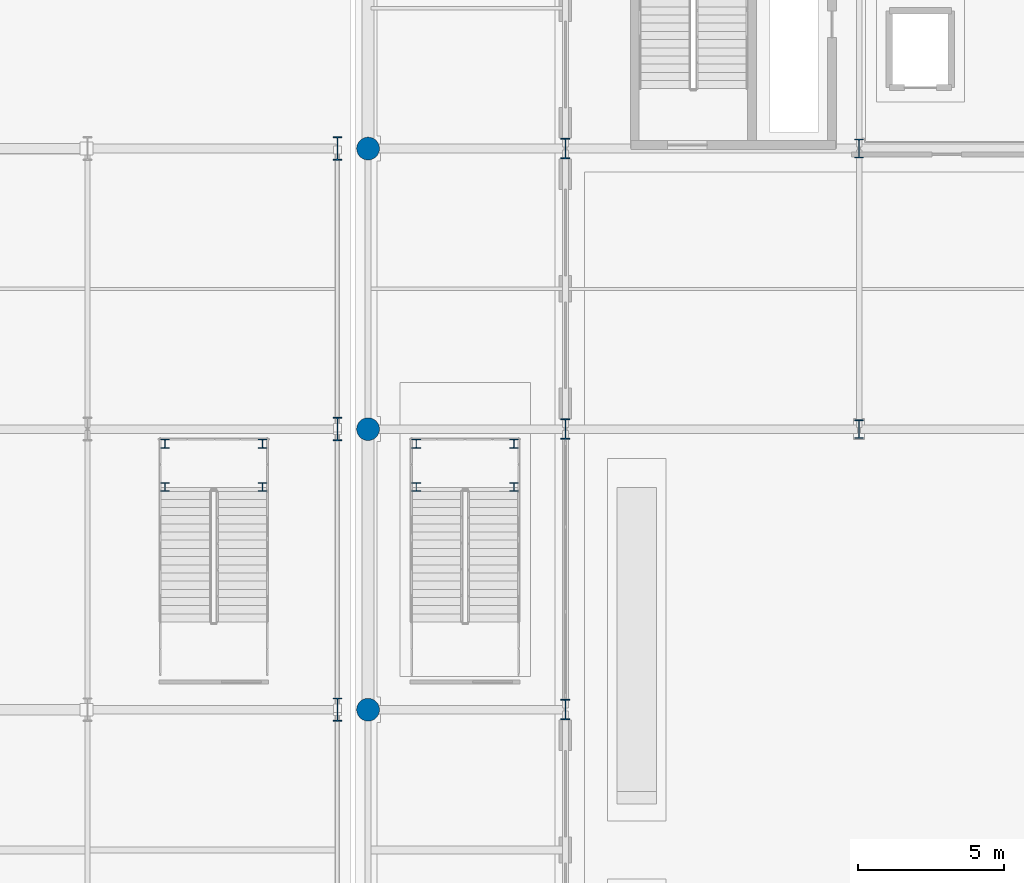
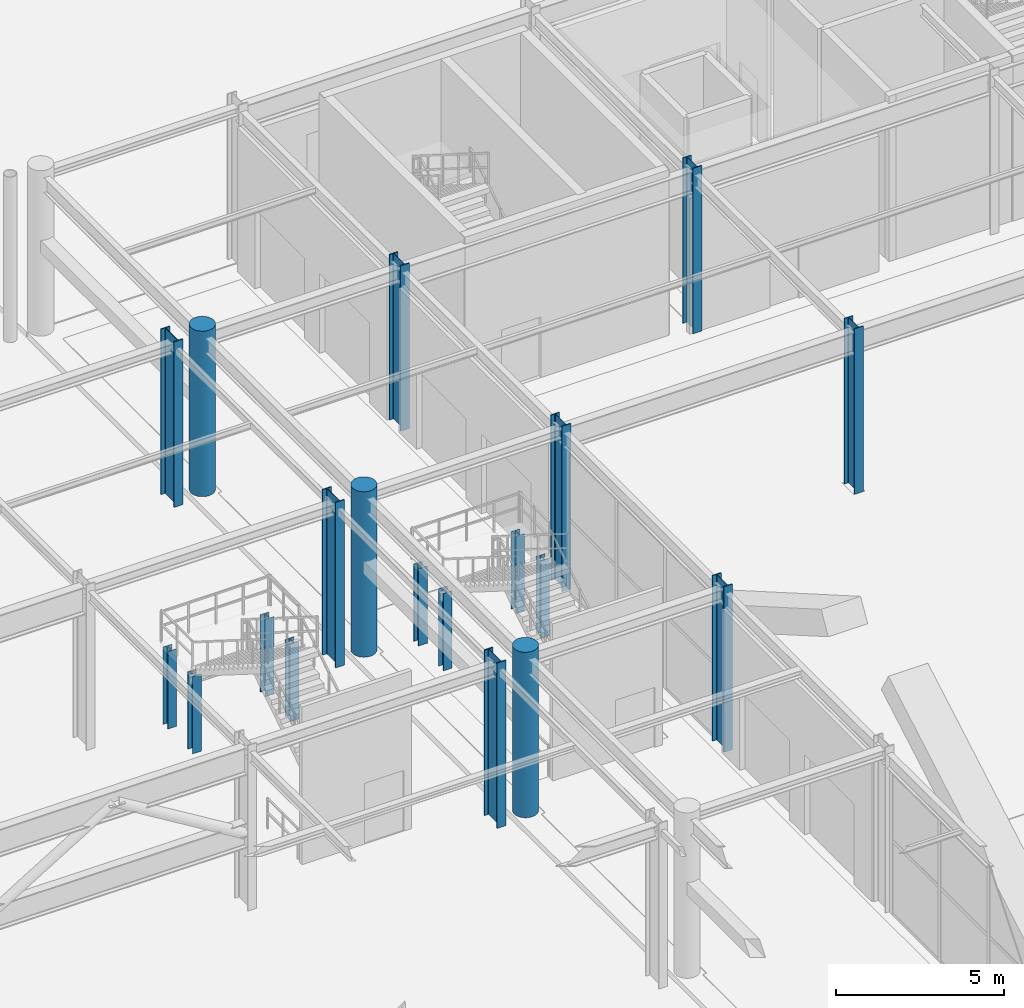
# One storey, part 14 of 113: 19 columns.
"""IFC4 building model written with IfcOpenShell, lengths in metres."""

from ifc_helpers import new_model, si_unit, direction, frame, origin, origin_2d, place, context, subcontext, project, spatial, circle, i_section, extrude, material, material_profile, profile_set, type_object, element, save


model = new_model("IFC4")

# Units and contexts
model_context = context("Model", 3, precision=1e-05, world=origin(), true_north=direction((0.0, 1.0)))
body_context = subcontext(model_context, "Body", "Model", "MODEL_VIEW")
ifc_project = project(units=[si_unit("LENGTHUNIT", "METRE"), si_unit("AREAUNIT", "SQUARE_METRE"), si_unit("VOLUMEUNIT", "CUBIC_METRE"), si_unit("PLANEANGLEUNIT", "RADIAN"), si_unit("MASSUNIT", "GRAM", prefix="KILO")], contexts=[model_context])

# Site, building, storey
site_placement = place(None, origin())
site = spatial("IfcSite", under=ifc_project, at=site_placement, CompositionType="ELEMENT")
building_placement = place(site_placement, origin())
building = spatial("IfcBuilding", under=site, at=building_placement, Name="Myrtia Square Station", CompositionType="ELEMENT")
storey_placement = place(building_placement, origin())
storey = spatial("IfcBuildingStorey", under=building, at=storey_placement, Name="L00", CompositionType="ELEMENT", Elevation=0.0)

# Columns
ifc_material_1 = material(Name="Steel S355", Category="steel")
ifc_material_profile_1 = material_profile(ifc_material_1, i_section(OverallWidth=0.300048828125, OverallDepth=0.639892578125, WebThickness=0.013427734375, FlangeThickness=0.02587890625, FilletRadius=0.027099609375, at=origin_2d()), Name="HEA 650")
ifc_profile_set_1 = profile_set([ifc_material_profile_1], Name="Steel S355")
column_type_1 = type_object("IfcColumnType", Name="COL-HEA650", PredefinedType="COLUMN", material=ifc_profile_set_1)
for number, where, z_axis, x_axis, name in (
    (1, (89.39990234375, 76.800048828125, 0.0), (0.0, 0.0, 1.0), (1.0, 0.0, 0.0), "Column L00-0435"),
    (2, (89.39990234375, 86.39990234375, 0.0), (0.0, 0.0, 1.0), (1.0, 0.0, 0.0), "Column L00-0440"),
):
    element("IfcColumn", number, at=place(storey_placement, frame(where, z_axis=z_axis, x_axis=x_axis)), inside=storey, type_object=column_type_1, Name=name, PredefinedType="COLUMN", context=body_context, shape_type="SweptSolid", body=[
        extrude(i_section(OverallWidth=0.300048828125, OverallDepth=0.639892578125, WebThickness=0.013427734375, FlangeThickness=0.02587890625, FilletRadius=0.027099609375, at=origin_2d()), origin(), (0.0, 0.0, 1.0), 6.0),
    ])
ifc_material_profile_2 = material_profile(ifc_material_1, i_section(OverallWidth=0.300048828125, OverallDepth=0.300048828125, WebThickness=0.010986328125, FlangeThickness=0.01904296875, FilletRadius=0.027099609375, at=origin_2d()), Name="HEB 300")
ifc_profile_set_2 = profile_set([ifc_material_profile_2], Name="Steel S355")
column_type_2 = type_object("IfcColumnType", Name="COL-HEB300", PredefinedType="COLUMN", material=ifc_profile_set_2)
for number, where, z_axis, x_axis, name in (
    (3, (65.64990234375, 76.300048828125, 0.0), (0.0, 0.0, 1.0), (1.0, 0.0, 0.0), "Interchange stair landing post 4-WN"),
    (4, (65.64990234375, 74.820068359375, 0.0), (0.0, 0.0, 1.0), (1.0, 0.0, 0.0), "Interchange stair landing post 4-WS"),
    (5, (68.989990234375, 76.300048828125, 0.0), (0.0, 0.0, 1.0), (1.0, 0.0, 0.0), "Interchange stair landing post 4-EN"),
    (6, (68.989990234375, 74.820068359375, 0.0), (0.0, 0.0, 1.0), (1.0, 0.0, 0.0), "Interchange stair landing post 4-ES"),
    (7, (74.25, 76.300048828125, 0.0), (0.0, 0.0, 1.0), (1.0, 0.0, 0.0), "Interchange stair landing post 5-WN"),
    (8, (74.25, 74.820068359375, 0.0), (0.0, 0.0, 1.0), (1.0, 0.0, 0.0), "Interchange stair landing post 5-WS"),
    (9, (77.590087890625, 76.300048828125, 0.0), (0.0, 0.0, 1.0), (1.0, 0.0, 0.0), "Interchange stair landing post 5-EN"),
    (10, (77.590087890625, 74.820068359375, 0.0), (0.0, 0.0, 1.0), (1.0, 0.0, 0.0), "Interchange stair landing post 5-ES"),
):
    element("IfcColumn", number, at=place(storey_placement, frame(where, z_axis=z_axis, x_axis=x_axis)), inside=storey, type_object=column_type_2, Name=name, PredefinedType="COLUMN", context=body_context, shape_type="SweptSolid", body=[
        extrude(i_section(OverallWidth=0.300048828125, OverallDepth=0.300048828125, WebThickness=0.010986328125, FlangeThickness=0.01904296875, FilletRadius=0.027099609375, at=origin_2d()), origin(), (0.0, 0.0, 1.0), 2.800048828125),
    ])
ifc_material_profile_3 = material_profile(ifc_material_1, i_section(OverallWidth=0.300048828125, OverallDepth=0.699951171875, WebThickness=0.01708984375, FlangeThickness=0.031982421875, FilletRadius=0.027099609375, at=origin_2d()), Name="HEB 700")
ifc_profile_set_3 = profile_set([ifc_material_profile_3], Name="Steel S355")
column_type_3 = type_object("IfcColumnType", Name="COL-HEB700", PredefinedType="COLUMN", material=ifc_profile_set_3)
for number, where, z_axis, x_axis, name in (
    (11, (79.35009765625, 67.199951171875, 0.0), (0.0, 0.0, 1.0), (1.0, 0.0, 0.0), "Column L00-0340"),
    (12, (79.35009765625, 76.800048828125, 0.0), (0.0, 0.0, 1.0), (1.0, 0.0, 0.0), "Column L00-0362"),
    (13, (79.35009765625, 86.39990234375, 0.0), (0.0, 0.0, 1.0), (1.0, 0.0, 0.0), "Column L00-0384"),
):
    element("IfcColumn", number, at=place(storey_placement, frame(where, z_axis=z_axis, x_axis=x_axis)), inside=storey, type_object=column_type_3, Name=name, PredefinedType="COLUMN", context=body_context, shape_type="SweptSolid", body=[
        extrude(i_section(OverallWidth=0.300048828125, OverallDepth=0.699951171875, WebThickness=0.01708984375, FlangeThickness=0.031982421875, FilletRadius=0.027099609375, at=origin_2d()), origin(), (0.0, 0.0, 1.0), 6.0),
    ])
ifc_material_profile_4 = material_profile(ifc_material_1, i_section(OverallWidth=0.300048828125, OverallDepth=0.800048828125, WebThickness=0.017578125, FlangeThickness=0.032958984375, FilletRadius=0.030029296875, at=origin_2d()), Name="HEB 800")
ifc_profile_set_4 = profile_set([ifc_material_profile_4], Name="Steel S355")
column_type_4 = type_object("IfcColumnType", Name="COL-HEB800", PredefinedType="COLUMN", material=ifc_profile_set_4)
for number, where, z_axis, x_axis, name in (
    (14, (71.550048828125, 67.199951171875, 0.0), (0.0, 0.0, 1.0), (1.0, 0.0, 0.0), "Column L00-0221"),
    (15, (71.550048828125, 76.800048828125, 0.0), (0.0, 0.0, 1.0), (1.0, 0.0, 0.0), "Column L00-0224"),
    (16, (71.550048828125, 86.39990234375, 0.0), (0.0, 0.0, 1.0), (1.0, 0.0, 0.0), "Column L00-0227"),
):
    element("IfcColumn", number, at=place(storey_placement, frame(where, z_axis=z_axis, x_axis=x_axis)), inside=storey, type_object=column_type_4, Name=name, PredefinedType="COLUMN", context=body_context, shape_type="SweptSolid", body=[
        extrude(i_section(OverallWidth=0.300048828125, OverallDepth=0.800048828125, WebThickness=0.017578125, FlangeThickness=0.032958984375, FilletRadius=0.030029296875, at=origin_2d()), origin(), (0.0, 0.0, 1.0), 6.0),
    ])
ifc_material_2 = material(Name="Concrete C40/50", Category="concrete")
ifc_material_profile_5 = material_profile(ifc_material_2, circle(Radius=0.389892578125, at=origin_2d()), Name="RC D780")
ifc_profile_set_5 = profile_set([ifc_material_profile_5], Name="Concrete C40/50")
column_type_5 = type_object("IfcColumnType", Name="COL-RCD780", PredefinedType="COLUMN", material=ifc_profile_set_5)
for number, where, z_axis, x_axis, name in (
    (17, (72.60009765625, 67.199951171875, 0.0), (0.0, 0.0, 1.0), (1.0, 0.0, 0.0), "Column L00-0330"),
    (18, (72.60009765625, 76.800048828125, 0.0), (0.0, 0.0, 1.0), (1.0, 0.0, 0.0), "Column L00-0352"),
    (19, (72.60009765625, 86.39990234375, 0.0), (0.0, 0.0, 1.0), (1.0, 0.0, 0.0), "Column L00-0374"),
):
    element("IfcColumn", number, at=place(storey_placement, frame(where, z_axis=z_axis, x_axis=x_axis)), inside=storey, type_object=column_type_5, Name=name, PredefinedType="COLUMN", context=body_context, shape_type="SweptSolid", body=[
        extrude(circle(Radius=0.389892578125, at=origin_2d()), origin(), (0.0, 0.0, 1.0), 6.0),
    ])

save(model, "model.ifc")
